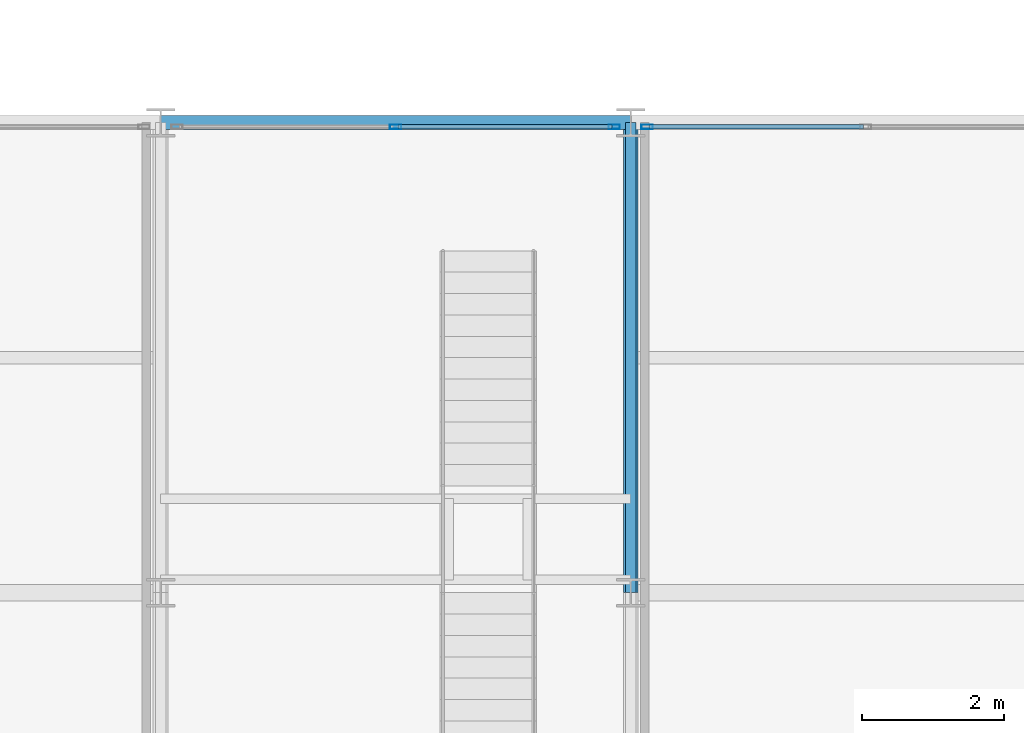
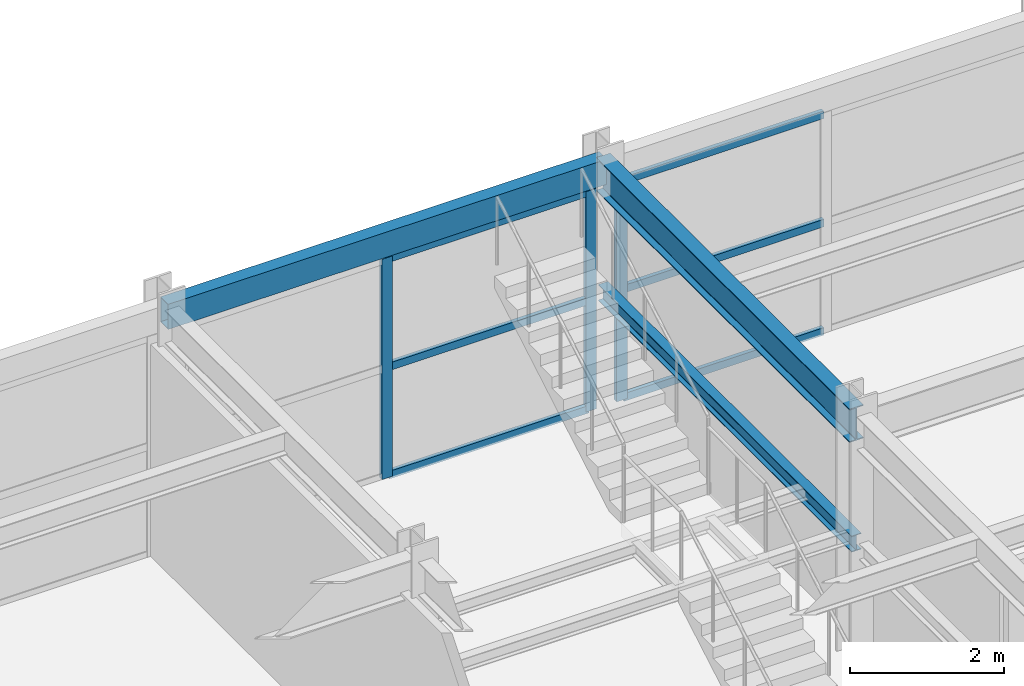
# One storey, part 106 of 157: 9 members, 3 beams, 2 elements without a shape of their own.
"""IFC4 building model written with IfcOpenShell, lengths in metres."""

import ifcopenshell
import ifcopenshell.guid

model = None  # the IFC model being written
_history = None  # IfcOwnerHistory: only IFC2X3 demands one
_inside = {}  # id of a spatial element -> (the spatial element, [elements in it])
_under = {}  # id of a project, library or spatial element -> (it, [spatial elements below it])
_declared = {}  # id of a project -> (the project, [libraries it declares])
_typed = {}  # id of a type object -> (the type object, [elements of that type])
_made_of = {}  # id of a material, layer set ... -> (it, [elements and type objects made of it])


def new_model(schema):
    """Start an empty IFC model of exactly this schema.

    Asked for "IFC4X3", IfcOpenShell would pick the latest addendum, in which some entities
    have other attributes; the version numbers below select the first issue.
    IFC2X3 requires an IfcOwnerHistory on every rooted entity: one is made here for all.
    """
    global model, _history
    if schema == "IFC4X3":
        model = ifcopenshell.file(schema_version=(4, 3, 0, 0))
    else:
        model = ifcopenshell.file(schema=schema)
    _inside.clear()
    _under.clear()
    _declared.clear()
    _typed.clear()
    _made_of.clear()
    _history = None
    if model.schema == "IFC2X3":
        org = make("IfcOrganization", Name="unknown")
        user = make(
            "IfcPersonAndOrganization",
            ThePerson=make("IfcPerson", FamilyName="unknown"),
            TheOrganization=org,
        )
        app = make(
            "IfcApplication",
            ApplicationDeveloper=org,
            Version="unknown",
            ApplicationFullName="unknown",
            ApplicationIdentifier="unknown",
        )
        _history = make(
            "IfcOwnerHistory",
            OwningUser=user,
            OwningApplication=app,
            ChangeAction="ADDED",
            CreationDate=0,
        )
    return model


def make(cls, **values):
    """One entity of the class cls with the attributes given. An attribute that is None is left unset."""
    return model.create_entity(
        cls, **{name: value for name, value in values.items() if value is not None}
    )


def rooted(cls, **values):
    """An entity with a GlobalId (a new one), such as an element, a storey or a relation."""
    return make(cls, GlobalId=ifcopenshell.guid.new(), OwnerHistory=_history, **values)


def si_unit(unit_type, name, prefix=None):
    """IfcSIUnit, for example si_unit("LENGTHUNIT", "METRE", prefix="MILLI")."""
    return make("IfcSIUnit", UnitType=unit_type, Prefix=prefix, Name=name)


def assignment(units):
    """IfcUnitAssignment: the units of a project."""
    return None if units is None else make("IfcUnitAssignment", Units=units)


def point(xyz):
    """IfcCartesianPoint."""
    return None if xyz is None else make("IfcCartesianPoint", Coordinates=xyz)


def direction(xyz):
    """IfcDirection."""
    return None if xyz is None else make("IfcDirection", DirectionRatios=xyz)


def frame(location, z_axis=None, x_axis=None):
    """IfcAxis2Placement3D, a coordinate frame: its origin and axes. An axis left out is left unset."""
    return make(
        "IfcAxis2Placement3D",
        Location=point(location),
        Axis=direction(z_axis),
        RefDirection=direction(x_axis),
    )


def frame_2d(location, x_axis=None):
    """IfcAxis2Placement2D, a coordinate frame in the plane: its origin and x axis."""
    return make(
        "IfcAxis2Placement2D", Location=point(location), RefDirection=direction(x_axis)
    )


def origin():
    """The frame at (0, 0, 0) with its axes left unset."""
    return frame((0.0, 0.0, 0.0))


def origin_2d():
    """The frame at (0, 0) in the plane with its x axis left unset."""
    return frame_2d((0.0, 0.0))


def place(relative_to, where):
    """IfcLocalPlacement: puts the frame where relative to a parent placement (None: the world)."""
    return make(
        "IfcLocalPlacement", PlacementRelTo=relative_to, RelativePlacement=where
    )


def context(
    kind, dimensions, precision=None, world=None, true_north=None, identifier=None
):
    """IfcGeometricRepresentationContext, for example the 3D "Model" context."""
    return make(
        "IfcGeometricRepresentationContext",
        ContextIdentifier=identifier,
        ContextType=kind,
        CoordinateSpaceDimension=dimensions,
        Precision=precision,
        WorldCoordinateSystem=world,
        TrueNorth=true_north,
    )


def subcontext(parent, identifier, kind, view, scale=None):
    """IfcGeometricRepresentationSubContext, for example "Body" below "Model"."""
    return make(
        "IfcGeometricRepresentationSubContext",
        ContextIdentifier=identifier,
        ContextType=kind,
        ParentContext=parent,
        TargetScale=scale,
        TargetView=view,
    )


def project(units=None, contexts=None):
    """IfcProject with its units and contexts."""
    return rooted(
        "IfcProject",
        Name="project",
        RepresentationContexts=contexts,
        UnitsInContext=assignment(units),
    )


def spatial(cls, under=None, at=None, **own):
    """A site, building, storey or space (cls), placed at a placement, below another one or the project."""
    s = rooted(cls, ObjectPlacement=at, **own)
    if under is not None:
        _under.setdefault(under.id(), (under, []))[1].append(s)
    return s


def profile(cls, at=None, kind="AREA", **sizes):
    """A parametric profile (cls). Its sizes go by their IFC names, for example OverallWidth=200.0."""
    return make(cls, ProfileType=kind, Position=at, **sizes)


def hollow_rectangle(**sizes):
    """IfcRectangleHollowProfileDef."""
    return profile("IfcRectangleHollowProfileDef", **sizes)


def i_section(**sizes):
    """IfcIShapeProfileDef."""
    return profile("IfcIShapeProfileDef", **sizes)


def extrude(swept, where, along, depth):
    """IfcExtrudedAreaSolid: the profile swept, set in the frame where, extruded along a direction by depth."""
    return make(
        "IfcExtrudedAreaSolid",
        SweptArea=swept,
        Position=where,
        ExtrudedDirection=direction(along),
        Depth=depth,
    )


def shape(context_of_items, identifier, shape_type, items):
    """IfcShapeRepresentation: the items that make up one representation, for example the "Body"."""
    return make(
        "IfcShapeRepresentation",
        ContextOfItems=context_of_items,
        RepresentationIdentifier=identifier,
        RepresentationType=shape_type,
        Items=items,
    )


def material(Name=None, Category=None):
    """IfcMaterial."""
    return make("IfcMaterial", Name=Name, Category=Category)


def material_profile(
    of_material, cross_section, Name=None, Category=None, Priority=None
):
    """IfcMaterialProfile: a cross section and its material."""
    return make(
        "IfcMaterialProfile",
        Name=Name,
        Material=of_material,
        Profile=cross_section,
        Priority=Priority,
        Category=Category,
    )


def profile_set(profiles, Name=None, composite=None):
    """IfcMaterialProfileSet."""
    return make(
        "IfcMaterialProfileSet",
        Name=Name,
        MaterialProfiles=profiles,
        CompositeProfile=composite,
    )


def made_of(thing, what):
    """Note that an element or type object is made of a material, layer set ...; save() writes the relation."""
    if what is not None:
        _made_of.setdefault(what.id(), (what, []))[1].append(thing)
    return thing


def type_object(cls, material=None, **own):
    """A type object (cls), such as IfcWallType, which elements share."""
    return made_of(rooted(cls, **own), material)


def element(
    cls,
    number,
    at=None,
    inside=None,
    cuts=None,
    type_object=None,
    material=None,
    context=None,
    identifier="Body",
    shape_type=None,
    held_by="IfcProductDefinitionShape",
    body=None,
    shapes=None,
    **own,
):
    """One element of the class cls, such as IfcWall. Its Tag is "e" and its number.

    at: its placement. inside: the storey or other place that contains it. cuts: it is an
    opening in that element (IfcRelVoidsElement). A single representation is given by context,
    identifier, shape_type and body (its items); several are given by shapes. held_by: the class
    of the entity that holds the representations. save() writes the other relations.
    """
    e = rooted(cls, Tag="e%d" % number, ObjectPlacement=at, **own)
    if body is not None:
        shapes = [shape(context, identifier, shape_type, body)]
    if shapes is not None:
        e.Representation = make(held_by, Representations=shapes)
    if inside is not None:
        _inside.setdefault(inside.id(), (inside, []))[1].append(e)
    if cuts is not None:
        rooted(
            "IfcRelVoidsElement", RelatingBuildingElement=cuts, RelatedOpeningElement=e
        )
    if type_object is not None:
        _typed.setdefault(type_object.id(), (type_object, []))[1].append(e)
    return made_of(e, material)


def aggregate(whole, parts):
    """IfcRelAggregates: a whole, such as a stair, and the parts it consists of."""
    return rooted("IfcRelAggregates", RelatingObject=whole, RelatedObjects=parts)


def save(model, path):
    """Write the relations noted so far, then the file.

    IfcRelAggregates (storeys below a building ...), IfcRelContainedInSpatialStructure (elements
    in a storey), IfcRelDefinesByType, IfcRelAssociatesMaterial and IfcRelDeclares: one each for
    every whole, place, type object, material and project.
    """
    for whole, parts in _under.values():
        aggregate(whole, parts)
    for where, things in _inside.values():
        rooted(
            "IfcRelContainedInSpatialStructure",
            RelatedElements=things,
            RelatingStructure=where,
        )
    for kind, things in _typed.values():
        rooted("IfcRelDefinesByType", RelatedObjects=things, RelatingType=kind)
    for what, things in _made_of.values():
        rooted("IfcRelAssociatesMaterial", RelatedObjects=things, RelatingMaterial=what)
    for by, libraries in _declared.values():
        rooted("IfcRelDeclares", RelatingContext=by, RelatedDefinitions=libraries)
    model.write(path)


model = new_model("IFC4")

# Units and contexts
model_context = context("Model", 3, precision=1e-05, world=origin(), true_north=direction((0.0, 1.0)))
body_context = subcontext(model_context, "Body", "Model", "MODEL_VIEW")
ifc_project = project(units=[si_unit("LENGTHUNIT", "METRE"), si_unit("AREAUNIT", "SQUARE_METRE"), si_unit("VOLUMEUNIT", "CUBIC_METRE"), si_unit("PLANEANGLEUNIT", "RADIAN"), si_unit("MASSUNIT", "GRAM", prefix="KILO")], contexts=[model_context])

# Site, building, storey
site_placement = place(None, origin())
site = spatial("IfcSite", under=ifc_project, at=site_placement, CompositionType="ELEMENT")
building_placement = place(site_placement, origin())
building = spatial("IfcBuilding", under=site, at=building_placement, Name="Karori Crest Natural Sciences Institute", CompositionType="ELEMENT")
storey_placement = place(building_placement, frame((0.0, 0.0, 13.300048828125)))
storey = spatial("IfcBuildingStorey", under=building, at=storey_placement, Name="L03", CompositionType="ELEMENT", Elevation=13.300048828125)

# Beams
ifc_material_1 = material(Name="Structural steel AS/NZS 3679.1 Grade 350", Category="steel")
ifc_material_profile_1 = material_profile(ifc_material_1, i_section(OverallWidth=0.208984375, OverallDepth=0.532958984375, WebThickness=0.01025390625, FlangeThickness=0.015625, FilletRadius=0.013916015625, at=origin_2d()), Name="530UB92.4")
ifc_profile_set_1 = profile_set([ifc_material_profile_1], Name="Structural steel AS/NZS 3679.1 Grade 350")
beam_type_1 = type_object("IfcBeamType", Name="BT-05", PredefinedType="BEAM", material=ifc_profile_set_1)
beam_1_placement = place(storey_placement, frame((149.800048828125, 14.0, 3.653564453125), z_axis=(0.0, 1.0, 0.0), x_axis=(-1.0, 0.0, 0.0)))
element("IfcBeam", 1, at=beam_1_placement, inside=storey, type_object=beam_type_1, Name="Beam B-2338", PredefinedType="BEAM", context=body_context, shape_type="SweptSolid", body=[
    extrude(i_section(OverallWidth=0.208984375, OverallDepth=0.532958984375, WebThickness=0.01025390625, FlangeThickness=0.015625, FilletRadius=0.013916015625, at=origin_2d()), origin(), (0.0, 0.0, 1.0), 6.60009765625),
])
ifc_material_profile_2 = material_profile(ifc_material_1, i_section(OverallWidth=0.14599609375, OverallDepth=0.256103515625, WebThickness=0.00634765625, FlangeThickness=0.010986328125, FilletRadius=0.009033203125, at=origin_2d()), Name="250UB37.3")
ifc_profile_set_2 = profile_set([ifc_material_profile_2], Name="Structural steel AS/NZS 3679.1 Grade 350")
beam_type_2 = type_object("IfcBeamType", Name="BT-11-IL", PredefinedType="BEAM", material=ifc_profile_set_2)
beam_2_placement = place(storey_placement, frame((149.800048828125, 14.0, 1.761962890625), z_axis=(0.0, 1.0, 0.0), x_axis=(-1.0, 0.0, 0.0)))
element("IfcBeam", 2, at=beam_2_placement, inside=storey, type_object=beam_type_2, Name="Stair stringer girder ST-15", PredefinedType="BEAM", context=body_context, shape_type="SweptSolid", body=[
    extrude(i_section(OverallWidth=0.14599609375, OverallDepth=0.256103515625, WebThickness=0.00634765625, FlangeThickness=0.010986328125, FilletRadius=0.009033203125, at=origin_2d()), origin(), (0.0, 0.0, 1.0), 6.60009765625),
])
ifc_material_2 = material(Name="Hollow structural steel AS/NZS 1163 Grade C350", Category="steel")
ifc_material_profile_3 = material_profile(ifc_material_2, hollow_rectangle(XDim=0.199951171875, YDim=0.39990234375, WallThickness=0.012451171875, at=origin_2d()), Name="RHS400x200x12.5")
ifc_profile_set_3 = profile_set([ifc_material_profile_3], Name="Hollow structural steel AS/NZS 1163 Grade C350")
beam_type_3 = type_object("IfcBeamType", Name="BT-14", PredefinedType="SPANDREL", material=ifc_profile_set_3)
beam_3_placement = place(storey_placement, frame((143.199951171875, 20.60009765625, 3.719970703125), z_axis=(1.0, 0.0, 0.0), x_axis=(0.0, 1.0, 0.0)))
element("IfcBeam", 3, at=beam_3_placement, inside=storey, type_object=beam_type_3, Name="Beam B-2312", PredefinedType="SPANDREL", context=body_context, shape_type="SweptSolid", body=[
    extrude(hollow_rectangle(XDim=0.199951171875, YDim=0.39990234375, WallThickness=0.012451171875, at=origin_2d()), origin(), (0.0, 0.0, 1.0), 6.60009765625),
])

# Curtain wall, members
ifc_material_3 = material(Name="Anodised architectural aluminium 6063-T6", Category="aluminium")
curtain_wall_type = type_object("IfcCurtainWallType", Name="CWT-20", PredefinedType="NOTDEFINED", material=ifc_material_3)
curtain_wall_1_placement = place(storey_placement, origin())
curtain_wall_1 = element("IfcCurtainWall", 4, at=curtain_wall_1_placement, inside=storey, type_object=curtain_wall_type, Name="Curtain wall CW-0328", PredefinedType="NOTDEFINED")
ifc_material_profile_4 = material_profile(ifc_material_3, hollow_rectangle(XDim=0.06494140625, YDim=0.159912109375, WallThickness=0.00390625, at=origin_2d()), Name="CWM160x65x4")
ifc_profile_set_4 = profile_set([ifc_material_profile_4], Name="Anodised architectural aluminium 6063-T6")
member_type_1 = type_object("IfcMemberType", Name="CWM-01", PredefinedType="MULLION", material=ifc_profile_set_4)
member_1_placement = place(storey_placement, frame((146.5, 20.5400390625, 0.0), z_axis=(0.0, 0.0, 1.0), x_axis=(0.0, 1.0, 0.0)))
member_1 = element("IfcMember", 5, at=member_1_placement, type_object=member_type_1, Name="CW-0328 mullion 2", PredefinedType="MULLION", context=body_context, shape_type="SweptSolid", body=[
    extrude(hollow_rectangle(XDim=0.06494140625, YDim=0.159912109375, WallThickness=0.00390625, at=origin_2d()), origin(), (0.0, 0.0, 1.0), 3.5048828125),
])
member_2_placement = place(storey_placement, frame((149.569580078125, 20.5400390625, 0.0), z_axis=(0.0, 0.0, 1.0), x_axis=(0.0, 1.0, 0.0)))
member_2 = element("IfcMember", 6, at=member_2_placement, type_object=member_type_1, Name="CW-0328 mullion 3", PredefinedType="MULLION", context=body_context, shape_type="SweptSolid", body=[
    extrude(hollow_rectangle(XDim=0.06494140625, YDim=0.159912109375, WallThickness=0.00390625, at=origin_2d()), origin(), (0.0, 0.0, 1.0), 3.5048828125),
])

# Curtain wall, member
curtain_wall_2_placement = place(storey_placement, origin())
curtain_wall_2 = element("IfcCurtainWall", 7, at=curtain_wall_2_placement, inside=storey, type_object=curtain_wall_type, Name="Curtain wall CW-0329", PredefinedType="NOTDEFINED")
member_3_placement = place(storey_placement, frame((150.030517578125, 20.5400390625, 0.0), z_axis=(0.0, 0.0, 1.0), x_axis=(0.0, 1.0, 0.0)))
member_3 = element("IfcMember", 8, at=member_3_placement, type_object=member_type_1, Name="CW-0329 mullion 1", PredefinedType="MULLION", context=body_context, shape_type="SweptSolid", body=[
    extrude(hollow_rectangle(XDim=0.06494140625, YDim=0.159912109375, WallThickness=0.00390625, at=origin_2d()), origin(), (0.0, 0.0, 1.0), 3.5048828125),
])

# Member
ifc_material_profile_5 = material_profile(ifc_material_3, hollow_rectangle(XDim=0.06005859375, YDim=0.1201171875, WallThickness=0.00390625, at=origin_2d()), Name="CWT120x60x4")
ifc_profile_set_5 = profile_set([ifc_material_profile_5], Name="Anodised architectural aluminium 6063-T6")
member_type_2 = type_object("IfcMemberType", Name="CWT-TR1", PredefinedType="USERDEFINED", material=ifc_profile_set_5)
member_4_placement = place(storey_placement, frame((146.532470703125, 20.5400390625, 0.030029296875), z_axis=(1.0, 0.0, 0.0), x_axis=(0.0, 1.0, 0.0)))
member_4 = element("IfcMember", 9, at=member_4_placement, type_object=member_type_2, Name="CW-0328 transom 2.1", ObjectType="TRANSOM", PredefinedType="USERDEFINED", context=body_context, shape_type="SweptSolid", body=[
    extrude(hollow_rectangle(XDim=0.06005859375, YDim=0.1201171875, WallThickness=0.00390625, at=origin_2d()), origin(), (0.0, 0.0, 1.0), 3.004638671875),
])

member_5_placement = place(storey_placement, frame((146.532470703125, 20.5400390625, 1.75244140625), z_axis=(1.0, 0.0, 0.0), x_axis=(0.0, 1.0, 0.0)))
member_5 = element("IfcMember", 10, at=member_5_placement, type_object=member_type_2, Name="CW-0328 transom 2.2", ObjectType="TRANSOM", PredefinedType="USERDEFINED", context=body_context, shape_type="SweptSolid", body=[
    extrude(hollow_rectangle(XDim=0.06005859375, YDim=0.1201171875, WallThickness=0.00390625, at=origin_2d()), origin(), (0.0, 0.0, 1.0), 3.004638671875),
])

member_6_placement = place(storey_placement, frame((146.532470703125, 20.5400390625, 3.474853515625), z_axis=(1.0, 0.0, 0.0), x_axis=(0.0, 1.0, 0.0)))
member_6 = element("IfcMember", 11, at=member_6_placement, type_object=member_type_2, Name="CW-0328 transom 2.3", ObjectType="TRANSOM", PredefinedType="USERDEFINED", context=body_context, shape_type="SweptSolid", body=[
    extrude(hollow_rectangle(XDim=0.06005859375, YDim=0.1201171875, WallThickness=0.00390625, at=origin_2d()), origin(), (0.0, 0.0, 1.0), 3.004638671875),
])

aggregate(curtain_wall_1, [member_1, member_2, member_4, member_5, member_6])

member_7_placement = place(storey_placement, frame((150.06298828125, 20.5400390625, 0.030029296875), z_axis=(1.0, 0.0, 0.0), x_axis=(0.0, 1.0, 0.0)))
member_7 = element("IfcMember", 12, at=member_7_placement, type_object=member_type_2, Name="CW-0329 transom 1.1", ObjectType="TRANSOM", PredefinedType="USERDEFINED", context=body_context, shape_type="SweptSolid", body=[
    extrude(hollow_rectangle(XDim=0.06005859375, YDim=0.1201171875, WallThickness=0.00390625, at=origin_2d()), origin(), (0.0, 0.0, 1.0), 3.00439453125),
])

member_8_placement = place(storey_placement, frame((150.06298828125, 20.5400390625, 1.75244140625), z_axis=(1.0, 0.0, 0.0), x_axis=(0.0, 1.0, 0.0)))
member_8 = element("IfcMember", 13, at=member_8_placement, type_object=member_type_2, Name="CW-0329 transom 1.2", ObjectType="TRANSOM", PredefinedType="USERDEFINED", context=body_context, shape_type="SweptSolid", body=[
    extrude(hollow_rectangle(XDim=0.06005859375, YDim=0.1201171875, WallThickness=0.00390625, at=origin_2d()), origin(), (0.0, 0.0, 1.0), 3.00439453125),
])

member_9_placement = place(storey_placement, frame((150.06298828125, 20.5400390625, 3.474853515625), z_axis=(1.0, 0.0, 0.0), x_axis=(0.0, 1.0, 0.0)))
member_9 = element("IfcMember", 14, at=member_9_placement, type_object=member_type_2, Name="CW-0329 transom 1.3", ObjectType="TRANSOM", PredefinedType="USERDEFINED", context=body_context, shape_type="SweptSolid", body=[
    extrude(hollow_rectangle(XDim=0.06005859375, YDim=0.1201171875, WallThickness=0.00390625, at=origin_2d()), origin(), (0.0, 0.0, 1.0), 3.00439453125),
])

aggregate(curtain_wall_2, [member_3, member_7, member_8, member_9])

save(model, "model.ifc")
